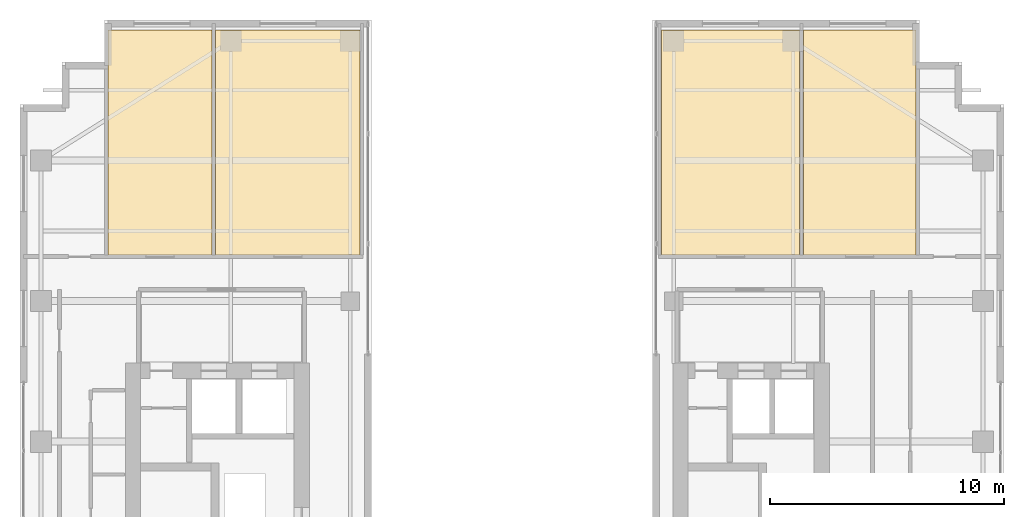
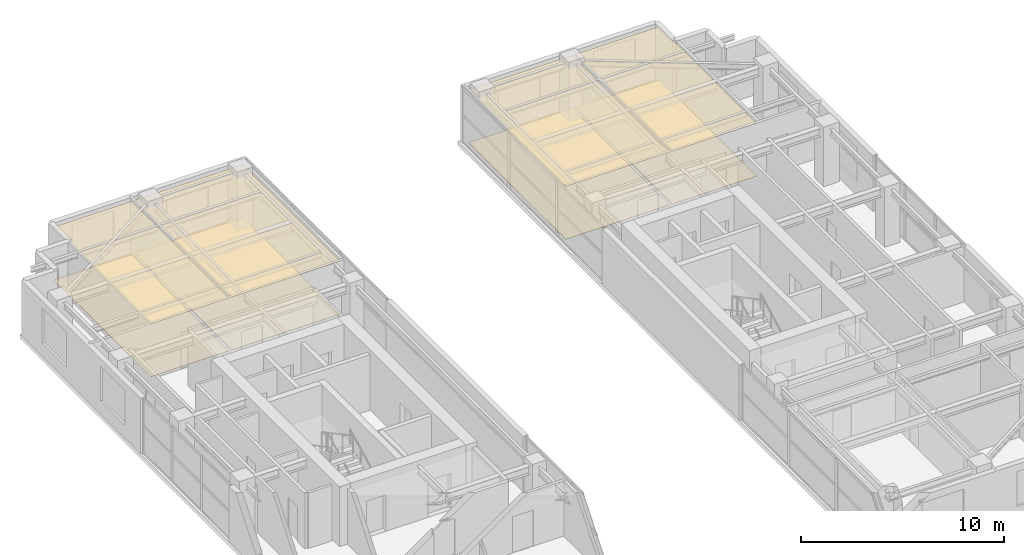
# One storey, part 21 of 21: 8 coverings.
"""IFC4 building model written with IfcOpenShell, lengths in metres."""

from ifc_helpers import new_model, si_unit, direction, frame, origin, place, context, subcontext, project, spatial, polyline, outline, extrude, material, layer, layer_set, type_object, element, save


model = new_model("IFC4")

# Units and contexts
model_context = context("Model", 3, precision=1e-05, world=origin(), true_north=direction((0.0, 1.0)))
body_context = subcontext(model_context, "Body", "Model", "MODEL_VIEW")
ifc_project = project(units=[si_unit("LENGTHUNIT", "METRE"), si_unit("AREAUNIT", "SQUARE_METRE"), si_unit("VOLUMEUNIT", "CUBIC_METRE"), si_unit("PLANEANGLEUNIT", "RADIAN"), si_unit("MASSUNIT", "GRAM", prefix="KILO")], contexts=[model_context])

# Site, building, storey
site_placement = place(None, origin())
site = spatial("IfcSite", under=ifc_project, at=site_placement, CompositionType="ELEMENT")
building_placement = place(site_placement, origin())
building = spatial("IfcBuilding", under=site, at=building_placement, Name="Khoralis Quay Care Tower", CompositionType="ELEMENT")
storey_placement = place(building_placement, frame((0.0, 0.0, 206.10009765625)))
storey = spatial("IfcBuildingStorey", under=building, at=storey_placement, Name="L54", CompositionType="ELEMENT", Elevation=206.10009765625)

# Coverings
ifc_material_1 = material(Name="Mineral-fibre acoustic ceiling tile")
ifc_layer_1 = layer(ifc_material_1, 0.01806640625)
ifc_layer_set_1 = layer_set([ifc_layer_1], Name="Mineral-fibre acoustic ceiling tile")
covering_type_1 = type_object("IfcCoveringType", Name="COV-CEIL-AC18", PredefinedType="CEILING", material=ifc_layer_set_1)
covering_1_placement = place(storey_placement, frame((0.0, 0.0, 3.19189453125)))
element("IfcCovering", 1, at=covering_1_placement, inside=storey, type_object=covering_type_1, Name="Suspended Acoustic Ceiling SP-L54-WN-COM0", PredefinedType="CEILING", context=body_context, shape_type="SweptSolid", body=[
    extrude(outline(polyline([(6.760009765625, 31.97998046875), (11.18994140625, 31.97998046875), (11.18994140625, 41.580078125), (6.760009765625, 41.580078125), (6.760009765625, 31.97998046875)])), origin(), (0.0, 0.0, 1.0), 0.01806640625),
])
covering_2_placement = place(storey_placement, frame((0.0, 0.0, 3.19189453125)))
element("IfcCovering", 2, at=covering_2_placement, inside=storey, type_object=covering_type_1, Name="Suspended Acoustic Ceiling SP-L54-WN-COM1", PredefinedType="CEILING", context=body_context, shape_type="SweptSolid", body=[
    extrude(outline(polyline([(11.35009765625, 31.97998046875), (17.52001953125, 31.97998046875), (17.52001953125, 41.580078125), (11.35009765625, 41.580078125), (11.35009765625, 31.97998046875)])), origin(), (0.0, 0.0, 1.0), 0.01806640625),
])
covering_3_placement = place(storey_placement, frame((0.0, 0.0, 3.19189453125)))
element("IfcCovering", 3, at=covering_3_placement, inside=storey, type_object=covering_type_1, Name="Suspended Acoustic Ceiling SP-L54-EN-COM0", PredefinedType="CEILING", context=body_context, shape_type="SweptSolid", body=[
    extrude(outline(polyline([(30.3798828125, 31.97998046875), (36.280029296875, 31.97998046875), (36.280029296875, 41.580078125), (30.3798828125, 41.580078125), (30.3798828125, 31.97998046875)])), origin(), (0.0, 0.0, 1.0), 0.01806640625),
])
covering_4_placement = place(storey_placement, frame((0.0, 0.0, 3.19189453125)))
element("IfcCovering", 4, at=covering_4_placement, inside=storey, type_object=covering_type_1, Name="Suspended Acoustic Ceiling SP-L54-EN-COM1", PredefinedType="CEILING", context=body_context, shape_type="SweptSolid", body=[
    extrude(outline(polyline([(36.43994140625, 31.97998046875), (41.239990234375, 31.97998046875), (41.239990234375, 41.580078125), (36.43994140625, 41.580078125), (36.43994140625, 31.97998046875)])), origin(), (0.0, 0.0, 1.0), 0.01806640625),
])
ifc_material_2 = material(Name="Porcelain and non-slip vinyl flooring")
ifc_layer_2 = layer(ifc_material_2, 0.02001953125)
ifc_layer_set_2 = layer_set([ifc_layer_2], Name="Porcelain and non-slip vinyl flooring")
covering_type_2 = type_object("IfcCoveringType", Name="COV-FLOOR-20", PredefinedType="FLOORING", material=ifc_layer_set_2)
covering_5_placement = place(storey_placement, origin())
element("IfcCovering", 5, at=covering_5_placement, inside=storey, type_object=covering_type_2, Name="Resilient Healthcare Flooring SP-L54-WN-COM0", PredefinedType="FLOORING", context=body_context, shape_type="SweptSolid", body=[
    extrude(outline(polyline([(6.760009765625, 31.97998046875), (11.18994140625, 31.97998046875), (11.18994140625, 41.580078125), (6.760009765625, 41.580078125), (6.760009765625, 31.97998046875)])), origin(), (0.0, 0.0, 1.0), 0.02001953125),
])
covering_6_placement = place(storey_placement, origin())
element("IfcCovering", 6, at=covering_6_placement, inside=storey, type_object=covering_type_2, Name="Resilient Healthcare Flooring SP-L54-WN-COM1", PredefinedType="FLOORING", context=body_context, shape_type="SweptSolid", body=[
    extrude(outline(polyline([(11.35009765625, 31.97998046875), (17.52001953125, 31.97998046875), (17.52001953125, 41.580078125), (11.35009765625, 41.580078125), (11.35009765625, 31.97998046875)])), origin(), (0.0, 0.0, 1.0), 0.02001953125),
])
covering_7_placement = place(storey_placement, origin())
element("IfcCovering", 7, at=covering_7_placement, inside=storey, type_object=covering_type_2, Name="Resilient Healthcare Flooring SP-L54-EN-COM0", PredefinedType="FLOORING", context=body_context, shape_type="SweptSolid", body=[
    extrude(outline(polyline([(30.3798828125, 31.97998046875), (36.280029296875, 31.97998046875), (36.280029296875, 41.580078125), (30.3798828125, 41.580078125), (30.3798828125, 31.97998046875)])), origin(), (0.0, 0.0, 1.0), 0.02001953125),
])
covering_8_placement = place(storey_placement, origin())
element("IfcCovering", 8, at=covering_8_placement, inside=storey, type_object=covering_type_2, Name="Resilient Healthcare Flooring SP-L54-EN-COM1", PredefinedType="FLOORING", context=body_context, shape_type="SweptSolid", body=[
    extrude(outline(polyline([(36.43994140625, 31.97998046875), (41.239990234375, 31.97998046875), (41.239990234375, 41.580078125), (36.43994140625, 41.580078125), (36.43994140625, 31.97998046875)])), origin(), (0.0, 0.0, 1.0), 0.02001953125),
])

save(model, "model.ifc")
